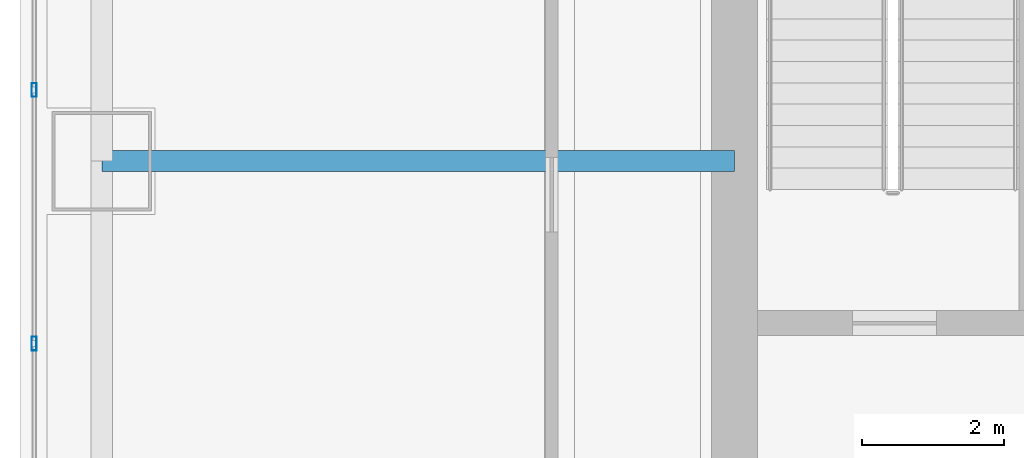
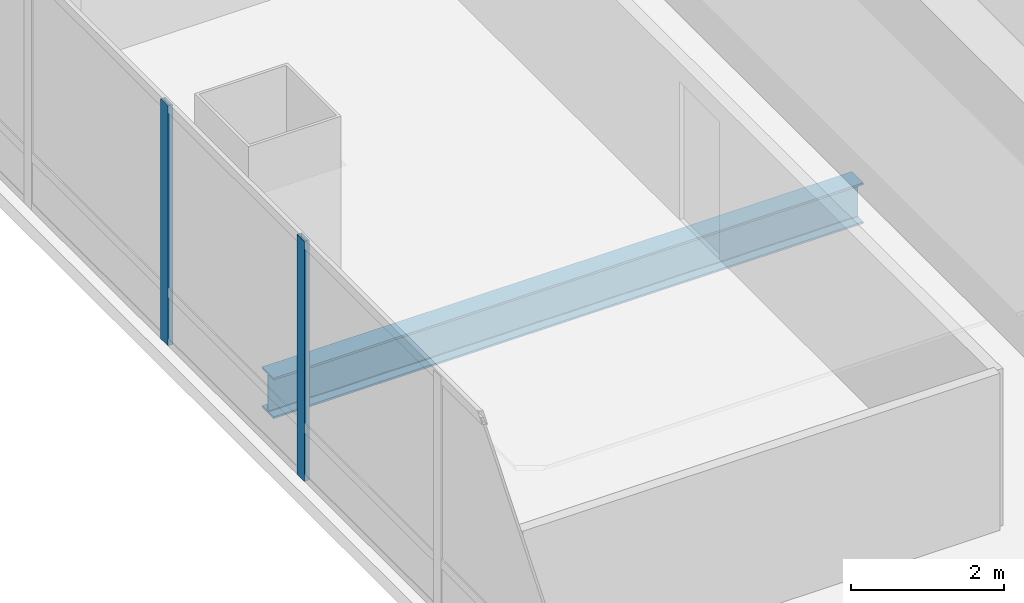
# One storey, part 9 of 35: 2 members, 1 beam, 1 element without a shape of its own.
"""IFC4 building model written with IfcOpenShell, lengths in metres."""

import ifcopenshell
import ifcopenshell.guid

model = None  # the IFC model being written
_history = None  # IfcOwnerHistory: only IFC2X3 demands one
_inside = {}  # id of a spatial element -> (the spatial element, [elements in it])
_under = {}  # id of a project, library or spatial element -> (it, [spatial elements below it])
_declared = {}  # id of a project -> (the project, [libraries it declares])
_typed = {}  # id of a type object -> (the type object, [elements of that type])
_made_of = {}  # id of a material, layer set ... -> (it, [elements and type objects made of it])


def new_model(schema):
    """Start an empty IFC model of exactly this schema.

    Asked for "IFC4X3", IfcOpenShell would pick the latest addendum, in which some entities
    have other attributes; the version numbers below select the first issue.
    IFC2X3 requires an IfcOwnerHistory on every rooted entity: one is made here for all.
    """
    global model, _history
    if schema == "IFC4X3":
        model = ifcopenshell.file(schema_version=(4, 3, 0, 0))
    else:
        model = ifcopenshell.file(schema=schema)
    _inside.clear()
    _under.clear()
    _declared.clear()
    _typed.clear()
    _made_of.clear()
    _history = None
    if model.schema == "IFC2X3":
        org = make("IfcOrganization", Name="unknown")
        user = make(
            "IfcPersonAndOrganization",
            ThePerson=make("IfcPerson", FamilyName="unknown"),
            TheOrganization=org,
        )
        app = make(
            "IfcApplication",
            ApplicationDeveloper=org,
            Version="unknown",
            ApplicationFullName="unknown",
            ApplicationIdentifier="unknown",
        )
        _history = make(
            "IfcOwnerHistory",
            OwningUser=user,
            OwningApplication=app,
            ChangeAction="ADDED",
            CreationDate=0,
        )
    return model


def make(cls, **values):
    """One entity of the class cls with the attributes given. An attribute that is None is left unset."""
    return model.create_entity(
        cls, **{name: value for name, value in values.items() if value is not None}
    )


def rooted(cls, **values):
    """An entity with a GlobalId (a new one), such as an element, a storey or a relation."""
    return make(cls, GlobalId=ifcopenshell.guid.new(), OwnerHistory=_history, **values)


def si_unit(unit_type, name, prefix=None):
    """IfcSIUnit, for example si_unit("LENGTHUNIT", "METRE", prefix="MILLI")."""
    return make("IfcSIUnit", UnitType=unit_type, Prefix=prefix, Name=name)


def assignment(units):
    """IfcUnitAssignment: the units of a project."""
    return None if units is None else make("IfcUnitAssignment", Units=units)


def point(xyz):
    """IfcCartesianPoint."""
    return None if xyz is None else make("IfcCartesianPoint", Coordinates=xyz)


def direction(xyz):
    """IfcDirection."""
    return None if xyz is None else make("IfcDirection", DirectionRatios=xyz)


def frame(location, z_axis=None, x_axis=None):
    """IfcAxis2Placement3D, a coordinate frame: its origin and axes. An axis left out is left unset."""
    return make(
        "IfcAxis2Placement3D",
        Location=point(location),
        Axis=direction(z_axis),
        RefDirection=direction(x_axis),
    )


def frame_2d(location, x_axis=None):
    """IfcAxis2Placement2D, a coordinate frame in the plane: its origin and x axis."""
    return make(
        "IfcAxis2Placement2D", Location=point(location), RefDirection=direction(x_axis)
    )


def origin():
    """The frame at (0, 0, 0) with its axes left unset."""
    return frame((0.0, 0.0, 0.0))


def origin_2d():
    """The frame at (0, 0) in the plane with its x axis left unset."""
    return frame_2d((0.0, 0.0))


def place(relative_to, where):
    """IfcLocalPlacement: puts the frame where relative to a parent placement (None: the world)."""
    return make(
        "IfcLocalPlacement", PlacementRelTo=relative_to, RelativePlacement=where
    )


def context(
    kind, dimensions, precision=None, world=None, true_north=None, identifier=None
):
    """IfcGeometricRepresentationContext, for example the 3D "Model" context."""
    return make(
        "IfcGeometricRepresentationContext",
        ContextIdentifier=identifier,
        ContextType=kind,
        CoordinateSpaceDimension=dimensions,
        Precision=precision,
        WorldCoordinateSystem=world,
        TrueNorth=true_north,
    )


def subcontext(parent, identifier, kind, view, scale=None):
    """IfcGeometricRepresentationSubContext, for example "Body" below "Model"."""
    return make(
        "IfcGeometricRepresentationSubContext",
        ContextIdentifier=identifier,
        ContextType=kind,
        ParentContext=parent,
        TargetScale=scale,
        TargetView=view,
    )


def project(units=None, contexts=None):
    """IfcProject with its units and contexts."""
    return rooted(
        "IfcProject",
        Name="project",
        RepresentationContexts=contexts,
        UnitsInContext=assignment(units),
    )


def spatial(cls, under=None, at=None, **own):
    """A site, building, storey or space (cls), placed at a placement, below another one or the project."""
    s = rooted(cls, ObjectPlacement=at, **own)
    if under is not None:
        _under.setdefault(under.id(), (under, []))[1].append(s)
    return s


def profile(cls, at=None, kind="AREA", **sizes):
    """A parametric profile (cls). Its sizes go by their IFC names, for example OverallWidth=200.0."""
    return make(cls, ProfileType=kind, Position=at, **sizes)


def hollow_rectangle(**sizes):
    """IfcRectangleHollowProfileDef."""
    return profile("IfcRectangleHollowProfileDef", **sizes)


def i_section(**sizes):
    """IfcIShapeProfileDef."""
    return profile("IfcIShapeProfileDef", **sizes)


def extrude(swept, where, along, depth):
    """IfcExtrudedAreaSolid: the profile swept, set in the frame where, extruded along a direction by depth."""
    return make(
        "IfcExtrudedAreaSolid",
        SweptArea=swept,
        Position=where,
        ExtrudedDirection=direction(along),
        Depth=depth,
    )


def shape(context_of_items, identifier, shape_type, items):
    """IfcShapeRepresentation: the items that make up one representation, for example the "Body"."""
    return make(
        "IfcShapeRepresentation",
        ContextOfItems=context_of_items,
        RepresentationIdentifier=identifier,
        RepresentationType=shape_type,
        Items=items,
    )


def material(Name=None, Category=None):
    """IfcMaterial."""
    return make("IfcMaterial", Name=Name, Category=Category)


def material_profile(
    of_material, cross_section, Name=None, Category=None, Priority=None
):
    """IfcMaterialProfile: a cross section and its material."""
    return make(
        "IfcMaterialProfile",
        Name=Name,
        Material=of_material,
        Profile=cross_section,
        Priority=Priority,
        Category=Category,
    )


def profile_set(profiles, Name=None, composite=None):
    """IfcMaterialProfileSet."""
    return make(
        "IfcMaterialProfileSet",
        Name=Name,
        MaterialProfiles=profiles,
        CompositeProfile=composite,
    )


def made_of(thing, what):
    """Note that an element or type object is made of a material, layer set ...; save() writes the relation."""
    if what is not None:
        _made_of.setdefault(what.id(), (what, []))[1].append(thing)
    return thing


def type_object(cls, material=None, **own):
    """A type object (cls), such as IfcWallType, which elements share."""
    return made_of(rooted(cls, **own), material)


def element(
    cls,
    number,
    at=None,
    inside=None,
    cuts=None,
    type_object=None,
    material=None,
    context=None,
    identifier="Body",
    shape_type=None,
    held_by="IfcProductDefinitionShape",
    body=None,
    shapes=None,
    **own,
):
    """One element of the class cls, such as IfcWall. Its Tag is "e" and its number.

    at: its placement. inside: the storey or other place that contains it. cuts: it is an
    opening in that element (IfcRelVoidsElement). A single representation is given by context,
    identifier, shape_type and body (its items); several are given by shapes. held_by: the class
    of the entity that holds the representations. save() writes the other relations.
    """
    e = rooted(cls, Tag="e%d" % number, ObjectPlacement=at, **own)
    if body is not None:
        shapes = [shape(context, identifier, shape_type, body)]
    if shapes is not None:
        e.Representation = make(held_by, Representations=shapes)
    if inside is not None:
        _inside.setdefault(inside.id(), (inside, []))[1].append(e)
    if cuts is not None:
        rooted(
            "IfcRelVoidsElement", RelatingBuildingElement=cuts, RelatedOpeningElement=e
        )
    if type_object is not None:
        _typed.setdefault(type_object.id(), (type_object, []))[1].append(e)
    return made_of(e, material)


def aggregate(whole, parts):
    """IfcRelAggregates: a whole, such as a stair, and the parts it consists of."""
    return rooted("IfcRelAggregates", RelatingObject=whole, RelatedObjects=parts)


def save(model, path):
    """Write the relations noted so far, then the file.

    IfcRelAggregates (storeys below a building ...), IfcRelContainedInSpatialStructure (elements
    in a storey), IfcRelDefinesByType, IfcRelAssociatesMaterial and IfcRelDeclares: one each for
    every whole, place, type object, material and project.
    """
    for whole, parts in _under.values():
        aggregate(whole, parts)
    for where, things in _inside.values():
        rooted(
            "IfcRelContainedInSpatialStructure",
            RelatedElements=things,
            RelatingStructure=where,
        )
    for kind, things in _typed.values():
        rooted("IfcRelDefinesByType", RelatedObjects=things, RelatingType=kind)
    for what, things in _made_of.values():
        rooted("IfcRelAssociatesMaterial", RelatedObjects=things, RelatingMaterial=what)
    for by, libraries in _declared.values():
        rooted("IfcRelDeclares", RelatingContext=by, RelatedDefinitions=libraries)
    model.write(path)


model = new_model("IFC4")

# Units and contexts
model_context = context("Model", 3, precision=1e-05, world=origin(), true_north=direction((0.0, 1.0)))
body_context = subcontext(model_context, "Body", "Model", "MODEL_VIEW")
ifc_project = project(units=[si_unit("LENGTHUNIT", "METRE"), si_unit("AREAUNIT", "SQUARE_METRE"), si_unit("VOLUMEUNIT", "CUBIC_METRE"), si_unit("PLANEANGLEUNIT", "RADIAN"), si_unit("MASSUNIT", "GRAM", prefix="KILO")], contexts=[model_context])

# Site, building, storey
site_placement = place(None, origin())
site = spatial("IfcSite", under=ifc_project, at=site_placement, CompositionType="ELEMENT")
building_placement = place(site_placement, origin())
building = spatial("IfcBuilding", under=site, at=building_placement, Name="Punatoya Terracotta Tower", CompositionType="ELEMENT")
storey_placement = place(building_placement, frame((0.0, 0.0, 216.75)))
storey = spatial("IfcBuildingStorey", under=building, at=storey_placement, Name="L51", CompositionType="ELEMENT", Elevation=216.75)

# Beam
ifc_material_1 = material(Name="Steel S355", Category="steel")
ifc_material_profile_1 = material_profile(ifc_material_1, i_section(OverallWidth=0.300048828125, OverallDepth=0.64990234375, WebThickness=0.01611328125, FlangeThickness=0.031005859375, FilletRadius=0.01806640625, at=origin_2d()))
ifc_profile_set_1 = profile_set([ifc_material_profile_1], Name="Steel S355")
beam_type = type_object("IfcBeamType", Name="BM-PRI-650", PredefinedType="BEAM", material=ifc_profile_set_1)
beam_placement = place(storey_placement, frame((-19.10009765625, -3.39990234375, -0.544921875), z_axis=(1.0, 0.0, 0.0), x_axis=(0.0, 1.0, 0.0)))
element("IfcBeam", 1, at=beam_placement, inside=storey, type_object=beam_type, Name="BM-L51-PR-WD", PredefinedType="BEAM", context=body_context, shape_type="SweptSolid", body=[
    extrude(i_section(OverallWidth=0.300048828125, OverallDepth=0.64990234375, WebThickness=0.01611328125, FlangeThickness=0.031005859375, FilletRadius=0.01806640625, at=origin_2d()), origin(), (0.0, 0.0, 1.0), 8.900146484375),
])

# Curtain wall, members
ifc_material_2 = material(Name="Aluminium 6063-T6 + Double Low-E Glass", Category="aluminium")
curtain_wall_type = type_object("IfcCurtainWallType", Name="CW-M2", PredefinedType="NOTDEFINED", material=ifc_material_2)
curtain_wall_placement = place(storey_placement, origin())
curtain_wall = element("IfcCurtainWall", 2, at=curtain_wall_placement, inside=storey, type_object=curtain_wall_type, Name="L51 Curtain Wall CW-L51-W13-1", PredefinedType="NOTDEFINED")
ifc_material_3 = material(Name="Aluminium 6063-T6", Category="aluminium")
ifc_material_profile_2 = material_profile(ifc_material_3, hollow_rectangle(XDim=0.072021484375, YDim=0.195068359375, WallThickness=0.00439453125, at=origin_2d()))
ifc_profile_set_2 = profile_set([ifc_material_profile_2], Name="Aluminium 6063-T6")
member_type = type_object("IfcMemberType", Name="CW-MUL-M2", PredefinedType="MULLION", material=ifc_profile_set_2)
member_1_placement = place(storey_placement, frame((-20.050048828125, -2.39990234375, 0.0), z_axis=(0.0, 0.0, 1.0), x_axis=(1.0, 0.0, 0.0)))
member_1 = element("IfcMember", 3, at=member_1_placement, type_object=member_type, Name="CW-L51-W13-1 Mullion 05", PredefinedType="MULLION", context=body_context, shape_type="SweptSolid", body=[
    extrude(hollow_rectangle(XDim=0.072021484375, YDim=0.195068359375, WallThickness=0.00439453125, at=origin_2d()), origin(), (0.0, 0.0, 1.0), 3.830078125),
])
member_2_placement = place(storey_placement, frame((-20.050048828125, -5.96728515625, 0.0), z_axis=(0.0, 0.0, 1.0), x_axis=(1.0, 0.0, 0.0)))
member_2 = element("IfcMember", 4, at=member_2_placement, type_object=member_type, Name="CW-L51-W13-1 Mullion 06", PredefinedType="MULLION", context=body_context, shape_type="SweptSolid", body=[
    extrude(hollow_rectangle(XDim=0.072021484375, YDim=0.195068359375, WallThickness=0.00439453125, at=origin_2d()), origin(), (0.0, 0.0, 1.0), 3.830078125),
])
aggregate(curtain_wall, [member_1, member_2])

save(model, "model.ifc")
